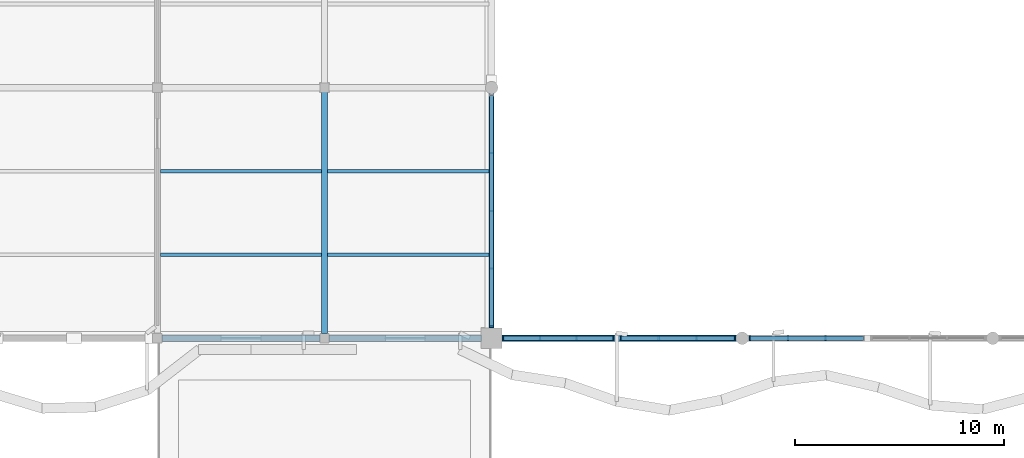
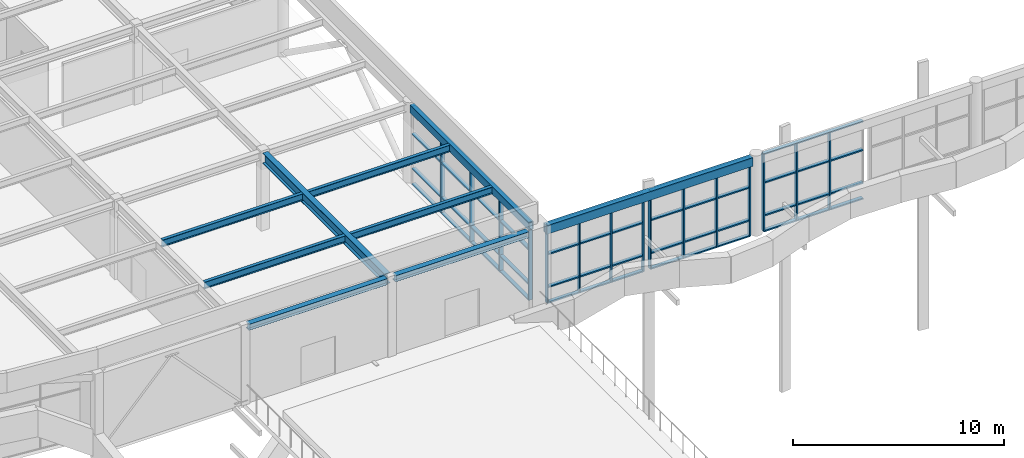
# One storey, part 11 of 63: 31 members, 9 beams, 4 elements without a shape of their own.
"""IFC4 building model written with IfcOpenShell, lengths in metres."""

from ifc_helpers import new_model, si_unit, direction, frame, origin, origin_2d, place, context, subcontext, project, spatial, rectangle, hollow_rectangle, i_section, extrude, material, layer, layer_set, material_profile, profile_set, type_object, element, aggregate, save


model = new_model("IFC4")

# Units and contexts
model_context = context("Model", 3, precision=1e-05, world=origin(), true_north=direction((0.0, 1.0)))
body_context = subcontext(model_context, "Body", "Model", "MODEL_VIEW")
ifc_project = project(units=[si_unit("LENGTHUNIT", "METRE"), si_unit("AREAUNIT", "SQUARE_METRE"), si_unit("VOLUMEUNIT", "CUBIC_METRE"), si_unit("PLANEANGLEUNIT", "RADIAN"), si_unit("MASSUNIT", "GRAM", prefix="KILO")], contexts=[model_context])

# Site, building, storey
site_placement = place(None, origin())
site = spatial("IfcSite", under=ifc_project, at=site_placement, CompositionType="ELEMENT")
building_placement = place(site_placement, origin())
building = spatial("IfcBuilding", under=site, at=building_placement, Name="Keelwater Ferry Terminal", CompositionType="ELEMENT")
storey_placement = place(building_placement, frame((0.0, 0.0, 10.199951171875)))
storey = spatial("IfcBuildingStorey", under=building, at=storey_placement, Name="L02", CompositionType="ELEMENT", Elevation=10.199951171875)

# Curtain wall, members
ifc_material_1 = material(Name="Thermally broken unitised aluminium and triple glass", Category="aluminium")
ifc_layer_1 = layer(ifc_material_1, 0.179931640625)
ifc_layer_set_1 = layer_set([ifc_layer_1], Name="Thermally broken unitised aluminium and triple glass")
curtain_wall_type_1 = type_object("IfcCurtainWallType", Name="CW-03 Unitised Curtain Wall 5230x4450", PredefinedType="USERDEFINED", material=ifc_layer_set_1)
curtain_wall_1_placement = place(storey_placement, origin())
curtain_wall_1 = element("IfcCurtainWall", 1, at=curtain_wall_1_placement, inside=storey, type_object=curtain_wall_type_1, Name="Unitised Curtain Wall CW-L02-011", ObjectType="UNITISED CURTAIN WALL", PredefinedType="USERDEFINED")
ifc_material_2 = material(Name="Aluminium mullion", Category="aluminium")
ifc_material_profile_1 = material_profile(ifc_material_2, rectangle(XDim=0.074951171875, YDim=0.219970703125, at=origin_2d()), Name="CWM-02")
ifc_profile_set_1 = profile_set([ifc_material_profile_1], Name="Aluminium mullion")
member_type_1 = type_object("IfcMemberType", Name="CWM-02 Curtain Mullion 75x220", PredefinedType="MULLION", material=ifc_profile_set_1)
member_1_placement = place(storey_placement, frame((48.574951171875, 42.0, 0.0), z_axis=(0.0, 0.0, 1.0), x_axis=(1.0, 0.0, 0.0)))
member_1 = element("IfcMember", 2, at=member_1_placement, type_object=member_type_1, Name="CW-L02-011 Mullion 1", PredefinedType="MULLION", context=body_context, shape_type="SweptSolid", body=[
    extrude(rectangle(XDim=0.074951171875, YDim=0.219970703125, at=origin_2d()), origin(), (0.0, 0.0, 1.0), 4.449951171875),
])
member_2_placement = place(storey_placement, frame((50.318359375, 42.0, 0.0), z_axis=(0.0, 0.0, 1.0), x_axis=(1.0, 0.0, 0.0)))
member_2 = element("IfcMember", 3, at=member_2_placement, type_object=member_type_1, Name="CW-L02-011 Mullion 2", PredefinedType="MULLION", context=body_context, shape_type="SweptSolid", body=[
    extrude(rectangle(XDim=0.074951171875, YDim=0.219970703125, at=origin_2d()), origin(), (0.0, 0.0, 1.0), 4.449951171875),
])
member_3_placement = place(storey_placement, frame((52.061767578125, 42.0, 0.0), z_axis=(0.0, 0.0, 1.0), x_axis=(1.0, 0.0, 0.0)))
member_3 = element("IfcMember", 4, at=member_3_placement, type_object=member_type_1, Name="CW-L02-011 Mullion 3", PredefinedType="MULLION", context=body_context, shape_type="SweptSolid", body=[
    extrude(rectangle(XDim=0.074951171875, YDim=0.219970703125, at=origin_2d()), origin(), (0.0, 0.0, 1.0), 4.449951171875),
])
member_4_placement = place(storey_placement, frame((53.804931640625, 42.0, 0.0), z_axis=(0.0, 0.0, 1.0), x_axis=(1.0, 0.0, 0.0)))
member_4 = element("IfcMember", 5, at=member_4_placement, type_object=member_type_1, Name="CW-L02-011 Mullion 4", PredefinedType="MULLION", context=body_context, shape_type="SweptSolid", body=[
    extrude(rectangle(XDim=0.074951171875, YDim=0.219970703125, at=origin_2d()), origin(), (0.0, 0.0, 1.0), 4.449951171875),
])

ifc_material_3 = material(Name="Thermally broken unitised aluminium and triple glass", Category="aluminium")
ifc_layer_2 = layer(ifc_material_3, 0.179931640625)
ifc_layer_set_2 = layer_set([ifc_layer_2], Name="Thermally broken unitised aluminium and triple glass")
curtain_wall_type_2 = type_object("IfcCurtainWallType", Name="CW-04 Unitised Curtain Wall 5430x4450", PredefinedType="USERDEFINED", material=ifc_layer_set_2)
curtain_wall_2_placement = place(storey_placement, origin())
curtain_wall_2 = element("IfcCurtainWall", 6, at=curtain_wall_2_placement, inside=storey, type_object=curtain_wall_type_2, Name="Unitised Curtain Wall CW-L02-012", ObjectType="UNITISED CURTAIN WALL", PredefinedType="USERDEFINED")
member_5_placement = place(storey_placement, frame((54.195068359375, 42.0, 0.0), z_axis=(0.0, 0.0, 1.0), x_axis=(1.0, 0.0, 0.0)))
member_5 = element("IfcMember", 7, at=member_5_placement, type_object=member_type_1, Name="CW-L02-012 Mullion 1", PredefinedType="MULLION", context=body_context, shape_type="SweptSolid", body=[
    extrude(rectangle(XDim=0.074951171875, YDim=0.219970703125, at=origin_2d()), origin(), (0.0, 0.0, 1.0), 4.449951171875),
])
member_6_placement = place(storey_placement, frame((56.0048828125, 42.0, 0.0), z_axis=(0.0, 0.0, 1.0), x_axis=(1.0, 0.0, 0.0)))
member_6 = element("IfcMember", 8, at=member_6_placement, type_object=member_type_1, Name="CW-L02-012 Mullion 2", PredefinedType="MULLION", context=body_context, shape_type="SweptSolid", body=[
    extrude(rectangle(XDim=0.074951171875, YDim=0.219970703125, at=origin_2d()), origin(), (0.0, 0.0, 1.0), 4.449951171875),
])
member_7_placement = place(storey_placement, frame((57.81494140625, 42.0, 0.0), z_axis=(0.0, 0.0, 1.0), x_axis=(1.0, 0.0, 0.0)))
member_7 = element("IfcMember", 9, at=member_7_placement, type_object=member_type_1, Name="CW-L02-012 Mullion 3", PredefinedType="MULLION", context=body_context, shape_type="SweptSolid", body=[
    extrude(rectangle(XDim=0.074951171875, YDim=0.219970703125, at=origin_2d()), origin(), (0.0, 0.0, 1.0), 4.449951171875),
])
member_8_placement = place(storey_placement, frame((59.625, 42.0, 0.0), z_axis=(0.0, 0.0, 1.0), x_axis=(1.0, 0.0, 0.0)))
member_8 = element("IfcMember", 10, at=member_8_placement, type_object=member_type_1, Name="CW-L02-012 Mullion 4", PredefinedType="MULLION", context=body_context, shape_type="SweptSolid", body=[
    extrude(rectangle(XDim=0.074951171875, YDim=0.219970703125, at=origin_2d()), origin(), (0.0, 0.0, 1.0), 4.449951171875),
])

curtain_wall_3_placement = place(storey_placement, origin())
curtain_wall_3 = element("IfcCurtainWall", 11, at=curtain_wall_3_placement, inside=storey, type_object=curtain_wall_type_2, Name="Unitised Curtain Wall CW-L02-013", ObjectType="UNITISED CURTAIN WALL", PredefinedType="USERDEFINED")
member_9_placement = place(storey_placement, frame((60.375, 42.0, 0.0), z_axis=(0.0, 0.0, 1.0), x_axis=(1.0, 0.0, 0.0)))
member_9 = element("IfcMember", 12, at=member_9_placement, type_object=member_type_1, Name="CW-L02-013 Mullion 1", PredefinedType="MULLION", context=body_context, shape_type="SweptSolid", body=[
    extrude(rectangle(XDim=0.074951171875, YDim=0.219970703125, at=origin_2d()), origin(), (0.0, 0.0, 1.0), 4.449951171875),
])
member_10_placement = place(storey_placement, frame((62.18505859375, 42.0, 0.0), z_axis=(0.0, 0.0, 1.0), x_axis=(1.0, 0.0, 0.0)))
member_10 = element("IfcMember", 13, at=member_10_placement, type_object=member_type_1, Name="CW-L02-013 Mullion 2", PredefinedType="MULLION", context=body_context, shape_type="SweptSolid", body=[
    extrude(rectangle(XDim=0.074951171875, YDim=0.219970703125, at=origin_2d()), origin(), (0.0, 0.0, 1.0), 4.449951171875),
])
member_11_placement = place(storey_placement, frame((63.9951171875, 42.0, 0.0), z_axis=(0.0, 0.0, 1.0), x_axis=(1.0, 0.0, 0.0)))
member_11 = element("IfcMember", 14, at=member_11_placement, type_object=member_type_1, Name="CW-L02-013 Mullion 3", PredefinedType="MULLION", context=body_context, shape_type="SweptSolid", body=[
    extrude(rectangle(XDim=0.074951171875, YDim=0.219970703125, at=origin_2d()), origin(), (0.0, 0.0, 1.0), 4.449951171875),
])

ifc_material_4 = material(Name="Thermally broken unitised aluminium and triple glass", Category="aluminium")
ifc_layer_3 = layer(ifc_material_4, 0.179931640625)
ifc_layer_set_3 = layer_set([ifc_layer_3], Name="Thermally broken unitised aluminium and triple glass")
curtain_wall_type_3 = type_object("IfcCurtainWallType", Name="CW-14 Unitised Curtain Wall 11050x4450", PredefinedType="USERDEFINED", material=ifc_layer_set_3)
curtain_wall_4_placement = place(storey_placement, origin())
curtain_wall_4 = element("IfcCurtainWall", 15, at=curtain_wall_4_placement, inside=storey, type_object=curtain_wall_type_3, Name="Unitised Curtain Wall CW-L02-071", ObjectType="UNITISED CURTAIN WALL", PredefinedType="USERDEFINED")
member_12_placement = place(storey_placement, frame((48.0, 42.574951171875, 0.0), z_axis=(0.0, 0.0, 1.0), x_axis=(0.0, 1.0, 0.0)))
member_12 = element("IfcMember", 16, at=member_12_placement, type_object=member_type_1, Name="CW-L02-071 Mullion 1", PredefinedType="MULLION", context=body_context, shape_type="SweptSolid", body=[
    extrude(rectangle(XDim=0.074951171875, YDim=0.219970703125, at=origin_2d()), origin(), (0.0, 0.0, 1.0), 4.449951171875),
])
member_13_placement = place(storey_placement, frame((48.0, 45.33740234375, 0.0), z_axis=(0.0, 0.0, 1.0), x_axis=(0.0, 1.0, 0.0)))
member_13 = element("IfcMember", 17, at=member_13_placement, type_object=member_type_1, Name="CW-L02-071 Mullion 2", PredefinedType="MULLION", context=body_context, shape_type="SweptSolid", body=[
    extrude(rectangle(XDim=0.074951171875, YDim=0.219970703125, at=origin_2d()), origin(), (0.0, 0.0, 1.0), 4.449951171875),
])
member_14_placement = place(storey_placement, frame((48.0, 48.10009765625, 0.0), z_axis=(0.0, 0.0, 1.0), x_axis=(0.0, 1.0, 0.0)))
member_14 = element("IfcMember", 18, at=member_14_placement, type_object=member_type_1, Name="CW-L02-071 Mullion 3", PredefinedType="MULLION", context=body_context, shape_type="SweptSolid", body=[
    extrude(rectangle(XDim=0.074951171875, YDim=0.219970703125, at=origin_2d()), origin(), (0.0, 0.0, 1.0), 4.449951171875),
])
member_15_placement = place(storey_placement, frame((48.0, 50.862548828125, 0.0), z_axis=(0.0, 0.0, 1.0), x_axis=(0.0, 1.0, 0.0)))
member_15 = element("IfcMember", 19, at=member_15_placement, type_object=member_type_1, Name="CW-L02-071 Mullion 4", PredefinedType="MULLION", context=body_context, shape_type="SweptSolid", body=[
    extrude(rectangle(XDim=0.074951171875, YDim=0.219970703125, at=origin_2d()), origin(), (0.0, 0.0, 1.0), 4.449951171875),
])

# Member
ifc_material_5 = material(Name="Aluminium mullion", Category="aluminium")
ifc_material_profile_2 = material_profile(ifc_material_5, rectangle(XDim=0.199951171875, YDim=0.074951171875, at=origin_2d()), Name="CWT-02")
ifc_profile_set_2 = profile_set([ifc_material_profile_2], Name="Aluminium mullion")
member_type_2 = type_object("IfcMemberType", Name="CWT-02 Curtain Transom 75x200", PredefinedType="USERDEFINED", material=ifc_profile_set_2)
member_16_placement = place(storey_placement, frame((48.574951171875, 42.0, 0.0), z_axis=(1.0, 0.0, 0.0), x_axis=(0.0, 1.0, 0.0)))
member_16 = element("IfcMember", 20, at=member_16_placement, type_object=member_type_2, Name="CW-L02-011 Transom 1", ObjectType="TRANSOM", PredefinedType="USERDEFINED", context=body_context, shape_type="SweptSolid", body=[
    extrude(rectangle(XDim=0.199951171875, YDim=0.074951171875, at=origin_2d()), origin(), (0.0, 0.0, 1.0), 5.22998046875),
])

member_17_placement = place(storey_placement, frame((48.574951171875, 42.0, 0.900146484375), z_axis=(1.0, 0.0, 0.0), x_axis=(0.0, 1.0, 0.0)))
member_17 = element("IfcMember", 21, at=member_17_placement, type_object=member_type_2, Name="CW-L02-011 Transom 2", ObjectType="TRANSOM", PredefinedType="USERDEFINED", context=body_context, shape_type="SweptSolid", body=[
    extrude(rectangle(XDim=0.199951171875, YDim=0.074951171875, at=origin_2d()), origin(), (0.0, 0.0, 1.0), 5.22998046875),
])

member_18_placement = place(storey_placement, frame((48.574951171875, 42.0, 2.800048828125), z_axis=(1.0, 0.0, 0.0), x_axis=(0.0, 1.0, 0.0)))
member_18 = element("IfcMember", 22, at=member_18_placement, type_object=member_type_2, Name="CW-L02-011 Transom 3", ObjectType="TRANSOM", PredefinedType="USERDEFINED", context=body_context, shape_type="SweptSolid", body=[
    extrude(rectangle(XDim=0.199951171875, YDim=0.074951171875, at=origin_2d()), origin(), (0.0, 0.0, 1.0), 5.22998046875),
])

member_19_placement = place(storey_placement, frame((48.574951171875, 42.0, 4.449951171875), z_axis=(1.0, 0.0, 0.0), x_axis=(0.0, 1.0, 0.0)))
member_19 = element("IfcMember", 23, at=member_19_placement, type_object=member_type_2, Name="CW-L02-011 Transom 4", ObjectType="TRANSOM", PredefinedType="USERDEFINED", context=body_context, shape_type="SweptSolid", body=[
    extrude(rectangle(XDim=0.199951171875, YDim=0.074951171875, at=origin_2d()), origin(), (0.0, 0.0, 1.0), 5.22998046875),
])

aggregate(curtain_wall_1, [member_1, member_2, member_3, member_4, member_16, member_17, member_18, member_19])

member_20_placement = place(storey_placement, frame((54.195068359375, 42.0, 0.0), z_axis=(1.0, 0.0, 0.0), x_axis=(0.0, 1.0, 0.0)))
member_20 = element("IfcMember", 24, at=member_20_placement, type_object=member_type_2, Name="CW-L02-012 Transom 1", ObjectType="TRANSOM", PredefinedType="USERDEFINED", context=body_context, shape_type="SweptSolid", body=[
    extrude(rectangle(XDim=0.199951171875, YDim=0.074951171875, at=origin_2d()), origin(), (0.0, 0.0, 1.0), 5.429931640625),
])

member_21_placement = place(storey_placement, frame((54.195068359375, 42.0, 0.900146484375), z_axis=(1.0, 0.0, 0.0), x_axis=(0.0, 1.0, 0.0)))
member_21 = element("IfcMember", 25, at=member_21_placement, type_object=member_type_2, Name="CW-L02-012 Transom 2", ObjectType="TRANSOM", PredefinedType="USERDEFINED", context=body_context, shape_type="SweptSolid", body=[
    extrude(rectangle(XDim=0.199951171875, YDim=0.074951171875, at=origin_2d()), origin(), (0.0, 0.0, 1.0), 5.429931640625),
])

member_22_placement = place(storey_placement, frame((54.195068359375, 42.0, 2.800048828125), z_axis=(1.0, 0.0, 0.0), x_axis=(0.0, 1.0, 0.0)))
member_22 = element("IfcMember", 26, at=member_22_placement, type_object=member_type_2, Name="CW-L02-012 Transom 3", ObjectType="TRANSOM", PredefinedType="USERDEFINED", context=body_context, shape_type="SweptSolid", body=[
    extrude(rectangle(XDim=0.199951171875, YDim=0.074951171875, at=origin_2d()), origin(), (0.0, 0.0, 1.0), 5.429931640625),
])

member_23_placement = place(storey_placement, frame((54.195068359375, 42.0, 4.449951171875), z_axis=(1.0, 0.0, 0.0), x_axis=(0.0, 1.0, 0.0)))
member_23 = element("IfcMember", 27, at=member_23_placement, type_object=member_type_2, Name="CW-L02-012 Transom 4", ObjectType="TRANSOM", PredefinedType="USERDEFINED", context=body_context, shape_type="SweptSolid", body=[
    extrude(rectangle(XDim=0.199951171875, YDim=0.074951171875, at=origin_2d()), origin(), (0.0, 0.0, 1.0), 5.429931640625),
])

aggregate(curtain_wall_2, [member_5, member_6, member_7, member_8, member_20, member_21, member_22, member_23])

member_24_placement = place(storey_placement, frame((60.375, 42.0, 0.0), z_axis=(1.0, 0.0, 0.0), x_axis=(0.0, 1.0, 0.0)))
member_24 = element("IfcMember", 28, at=member_24_placement, type_object=member_type_2, Name="CW-L02-013 Transom 1", ObjectType="TRANSOM", PredefinedType="USERDEFINED", context=body_context, shape_type="SweptSolid", body=[
    extrude(rectangle(XDim=0.199951171875, YDim=0.074951171875, at=origin_2d()), origin(), (0.0, 0.0, 1.0), 5.429931640625),
])

member_25_placement = place(storey_placement, frame((60.375, 42.0, 0.900146484375), z_axis=(1.0, 0.0, 0.0), x_axis=(0.0, 1.0, 0.0)))
member_25 = element("IfcMember", 29, at=member_25_placement, type_object=member_type_2, Name="CW-L02-013 Transom 2", ObjectType="TRANSOM", PredefinedType="USERDEFINED", context=body_context, shape_type="SweptSolid", body=[
    extrude(rectangle(XDim=0.199951171875, YDim=0.074951171875, at=origin_2d()), origin(), (0.0, 0.0, 1.0), 5.429931640625),
])

member_26_placement = place(storey_placement, frame((60.375, 42.0, 2.800048828125), z_axis=(1.0, 0.0, 0.0), x_axis=(0.0, 1.0, 0.0)))
member_26 = element("IfcMember", 30, at=member_26_placement, type_object=member_type_2, Name="CW-L02-013 Transom 3", ObjectType="TRANSOM", PredefinedType="USERDEFINED", context=body_context, shape_type="SweptSolid", body=[
    extrude(rectangle(XDim=0.199951171875, YDim=0.074951171875, at=origin_2d()), origin(), (0.0, 0.0, 1.0), 5.429931640625),
])

member_27_placement = place(storey_placement, frame((60.375, 42.0, 4.449951171875), z_axis=(1.0, 0.0, 0.0), x_axis=(0.0, 1.0, 0.0)))
member_27 = element("IfcMember", 31, at=member_27_placement, type_object=member_type_2, Name="CW-L02-013 Transom 4", ObjectType="TRANSOM", PredefinedType="USERDEFINED", context=body_context, shape_type="SweptSolid", body=[
    extrude(rectangle(XDim=0.199951171875, YDim=0.074951171875, at=origin_2d()), origin(), (0.0, 0.0, 1.0), 5.429931640625),
])

aggregate(curtain_wall_3, [member_9, member_10, member_11, member_24, member_25, member_26, member_27])

member_28_placement = place(storey_placement, frame((48.0, 42.574951171875, 0.0), z_axis=(0.0, 1.0, 0.0), x_axis=(-1.0, 0.0, 0.0)))
member_28 = element("IfcMember", 32, at=member_28_placement, type_object=member_type_2, Name="CW-L02-071 Transom 1", ObjectType="TRANSOM", PredefinedType="USERDEFINED", context=body_context, shape_type="SweptSolid", body=[
    extrude(rectangle(XDim=0.199951171875, YDim=0.074951171875, at=origin_2d()), origin(), (0.0, 0.0, 1.0), 11.050048828125),
])

member_29_placement = place(storey_placement, frame((48.0, 42.574951171875, 0.900146484375), z_axis=(0.0, 1.0, 0.0), x_axis=(-1.0, 0.0, 0.0)))
member_29 = element("IfcMember", 33, at=member_29_placement, type_object=member_type_2, Name="CW-L02-071 Transom 2", ObjectType="TRANSOM", PredefinedType="USERDEFINED", context=body_context, shape_type="SweptSolid", body=[
    extrude(rectangle(XDim=0.199951171875, YDim=0.074951171875, at=origin_2d()), origin(), (0.0, 0.0, 1.0), 11.050048828125),
])

member_30_placement = place(storey_placement, frame((48.0, 42.574951171875, 2.900146484375), z_axis=(0.0, 1.0, 0.0), x_axis=(-1.0, 0.0, 0.0)))
member_30 = element("IfcMember", 34, at=member_30_placement, type_object=member_type_2, Name="CW-L02-071 Transom 3", ObjectType="TRANSOM", PredefinedType="USERDEFINED", context=body_context, shape_type="SweptSolid", body=[
    extrude(rectangle(XDim=0.199951171875, YDim=0.074951171875, at=origin_2d()), origin(), (0.0, 0.0, 1.0), 11.050048828125),
])

member_31_placement = place(storey_placement, frame((48.0, 42.574951171875, 4.449951171875), z_axis=(0.0, 1.0, 0.0), x_axis=(-1.0, 0.0, 0.0)))
member_31 = element("IfcMember", 35, at=member_31_placement, type_object=member_type_2, Name="CW-L02-071 Transom 4", ObjectType="TRANSOM", PredefinedType="USERDEFINED", context=body_context, shape_type="SweptSolid", body=[
    extrude(rectangle(XDim=0.199951171875, YDim=0.074951171875, at=origin_2d()), origin(), (0.0, 0.0, 1.0), 11.050048828125),
])

aggregate(curtain_wall_4, [member_12, member_13, member_14, member_15, member_28, member_29, member_30, member_31])

# Beams
ifc_material_6 = material(Name="Steel S355", Category="steel")
ifc_material_profile_3 = material_profile(ifc_material_6, i_section(OverallWidth=0.300048828125, OverallDepth=0.60009765625, WebThickness=0.015380859375, FlangeThickness=0.030029296875, at=origin_2d()), Name="HEB 600")
ifc_profile_set_3 = profile_set([ifc_material_profile_3], Name="Steel S355")
beam_type_1 = type_object("IfcBeamType", Name="G3 HEB 600", PredefinedType="BEAM", material=ifc_profile_set_3)
beam_1_placement = place(storey_placement, frame((40.0, 42.219970703125, 4.219970703125), z_axis=(0.0, 1.0, 0.0), x_axis=(-1.0, 0.0, 0.0)))
element("IfcBeam", 36, at=beam_1_placement, inside=storey, type_object=beam_type_1, Name="Beam BM-L02-1084", PredefinedType="BEAM", context=body_context, shape_type="SweptSolid", body=[
    extrude(i_section(OverallWidth=0.300048828125, OverallDepth=0.60009765625, WebThickness=0.015380859375, FlangeThickness=0.030029296875, at=origin_2d()), origin(), (0.0, 0.0, 1.0), 11.56005859375),
])
ifc_material_7 = material(Name="Steel S355", Category="steel")
ifc_material_profile_4 = material_profile(ifc_material_7, i_section(OverallWidth=0.179931640625, OverallDepth=0.39990234375, WebThickness=0.008544921875, FlangeThickness=0.013427734375, at=origin_2d()), Name="IPE 400")
ifc_profile_set_4 = profile_set([ifc_material_profile_4], Name="Steel S355")
beam_type_2 = type_object("IfcBeamType", Name="J5 IPE 400", PredefinedType="JOIST", material=ifc_profile_set_4)
for number, where, z_axis, x_axis, name in (
    (37, (32.14990234375, 46.0, 4.320068359375), (1.0, 0.0, 0.0), (0.0, 1.0, 0.0), "Beam BM-L02-1162"),
    (38, (32.14990234375, 50.0, 4.320068359375), (1.0, 0.0, 0.0), (0.0, 1.0, 0.0), "Beam BM-L02-1163"),
):
    element("IfcBeam", number, at=place(storey_placement, frame(where, z_axis=z_axis, x_axis=x_axis)), inside=storey, type_object=beam_type_2, Name=name, PredefinedType="JOIST", context=body_context, shape_type="SweptSolid", body=[
        extrude(i_section(OverallWidth=0.179931640625, OverallDepth=0.39990234375, WebThickness=0.008544921875, FlangeThickness=0.013427734375, at=origin_2d()), origin(), (0.0, 0.0, 1.0), 7.7001953125),
    ])
for number, where, z_axis, x_axis, name in (
    (39, (40.14990234375, 46.0, 4.320068359375), (1.0, 0.0, 0.0), (0.0, 1.0, 0.0), "Beam BM-L02-1168"),
    (40, (40.14990234375, 50.0, 4.320068359375), (1.0, 0.0, 0.0), (0.0, 1.0, 0.0), "Beam BM-L02-1169"),
):
    element("IfcBeam", number, at=place(storey_placement, frame(where, z_axis=z_axis, x_axis=x_axis)), inside=storey, type_object=beam_type_2, Name=name, PredefinedType="JOIST", context=body_context, shape_type="SweptSolid", body=[
        extrude(i_section(OverallWidth=0.179931640625, OverallDepth=0.39990234375, WebThickness=0.008544921875, FlangeThickness=0.013427734375, at=origin_2d()), origin(), (0.0, 0.0, 1.0), 7.72509765625),
    ])
ifc_material_8 = material(Name="Steel S355", Category="steel")
ifc_material_profile_5 = material_profile(ifc_material_8, hollow_rectangle(XDim=0.300048828125, YDim=0.5, WallThickness=0.02001953125, at=origin_2d()), Name="RHS 500x300x20")
ifc_profile_set_5 = profile_set([ifc_material_profile_5], Name="Steel S355")
beam_type_3 = type_object("IfcBeamType", Name="RB1E RHS 500x300x20", PredefinedType="SPANDREL", material=ifc_profile_set_5)
beam_2_placement = place(storey_placement, frame((48.489990234375, 42.0, 4.27001953125), z_axis=(1.0, 0.0, 0.0), x_axis=(0.0, 1.0, 0.0)))
element("IfcBeam", 41, at=beam_2_placement, inside=storey, type_object=beam_type_3, Name="Beam BM-L02-0985", PredefinedType="SPANDREL", context=body_context, shape_type="SweptSolid", body=[
    extrude(hollow_rectangle(XDim=0.300048828125, YDim=0.5, WallThickness=0.02001953125, at=origin_2d()), origin(), (0.0, 0.0, 1.0), 11.263916015625),
])
ifc_material_9 = material(Name="Steel S355", Category="steel")
ifc_material_profile_6 = material_profile(ifc_material_9, hollow_rectangle(XDim=0.25, YDim=0.449951171875, WallThickness=0.01611328125, at=origin_2d()), Name="RHS 450x250x16")
ifc_profile_set_6 = profile_set([ifc_material_profile_6], Name="Steel S355")
beam_type_4 = type_object("IfcBeamType", Name="RB2E RHS 450x250x16", PredefinedType="SPANDREL", material=ifc_profile_set_6)
beam_3_placement = place(storey_placement, frame((48.0, 42.489990234375, 4.295166015625), z_axis=(0.0, 1.0, 0.0), x_axis=(-1.0, 0.0, 0.0)))
element("IfcBeam", 42, at=beam_3_placement, inside=storey, type_object=beam_type_4, Name="Beam BM-L02-1088", PredefinedType="SPANDREL", context=body_context, shape_type="SweptSolid", body=[
    extrude(hollow_rectangle(XDim=0.25, YDim=0.449951171875, WallThickness=0.01611328125, at=origin_2d()), origin(), (0.0, 0.0, 1.0), 11.263916015625),
])
ifc_material_10 = material(Name="Steel S355", Category="steel")
ifc_material_profile_7 = material_profile(ifc_material_10, i_section(OverallWidth=0.300048828125, OverallDepth=0.35009765625, WebThickness=0.010009765625, FlangeThickness=0.017578125, at=origin_2d()), Name="HEA 360")
ifc_profile_set_7 = profile_set([ifc_material_profile_7], Name="Steel S355")
beam_type_5 = type_object("IfcBeamType", Name="SP1E HEA 360", PredefinedType="SPANDREL", material=ifc_profile_set_7)
beam_4_placement = place(storey_placement, frame((32.219970703125, 42.0, 4.344970703125), z_axis=(1.0, 0.0, 0.0), x_axis=(0.0, 1.0, 0.0)))
element("IfcBeam", 43, at=beam_4_placement, inside=storey, type_object=beam_type_5, Name="Beam BM-L02-0983", PredefinedType="SPANDREL", context=body_context, shape_type="SweptSolid", body=[
    extrude(i_section(OverallWidth=0.300048828125, OverallDepth=0.35009765625, WebThickness=0.010009765625, FlangeThickness=0.017578125, at=origin_2d()), origin(), (0.0, 0.0, 1.0), 7.56005859375),
])
beam_5_placement = place(storey_placement, frame((40.219970703125, 42.0, 4.344970703125), z_axis=(1.0, 0.0, 0.0), x_axis=(0.0, 1.0, 0.0)))
element("IfcBeam", 44, at=beam_5_placement, inside=storey, type_object=beam_type_5, Name="Beam BM-L02-0984", PredefinedType="SPANDREL", context=body_context, shape_type="SweptSolid", body=[
    extrude(i_section(OverallWidth=0.300048828125, OverallDepth=0.35009765625, WebThickness=0.010009765625, FlangeThickness=0.017578125, at=origin_2d()), origin(), (0.0, 0.0, 1.0), 7.2900390625),
])

save(model, "model.ifc")
